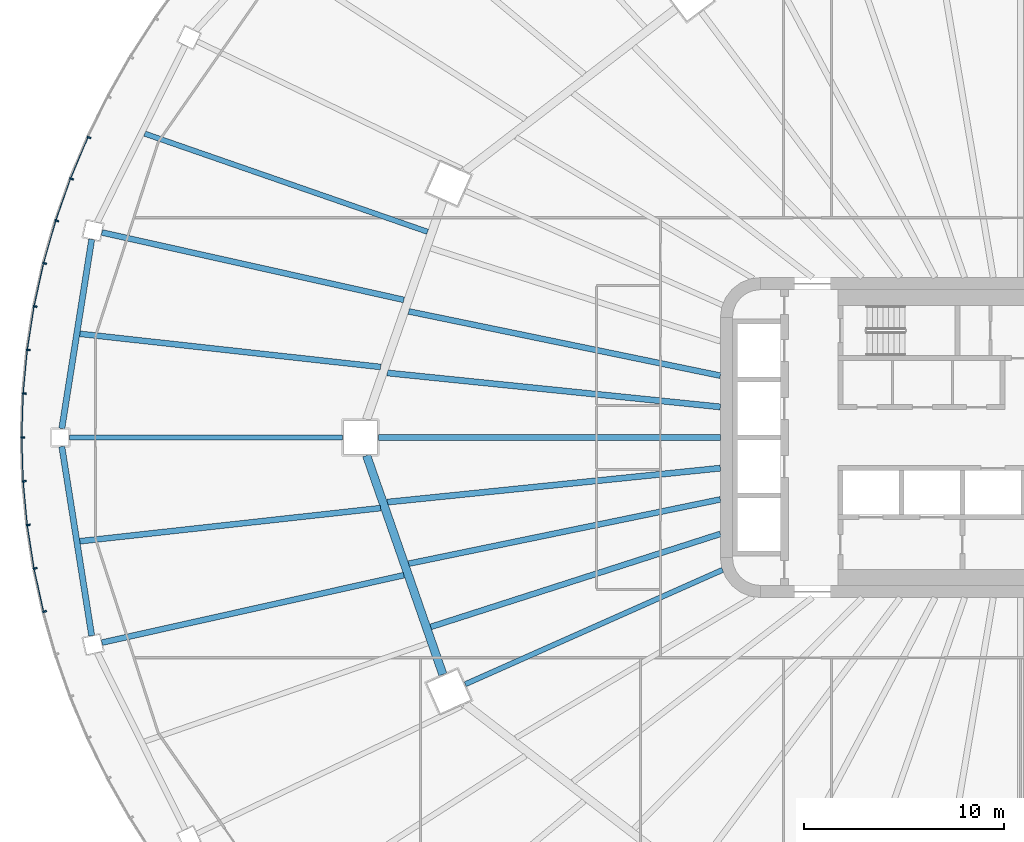
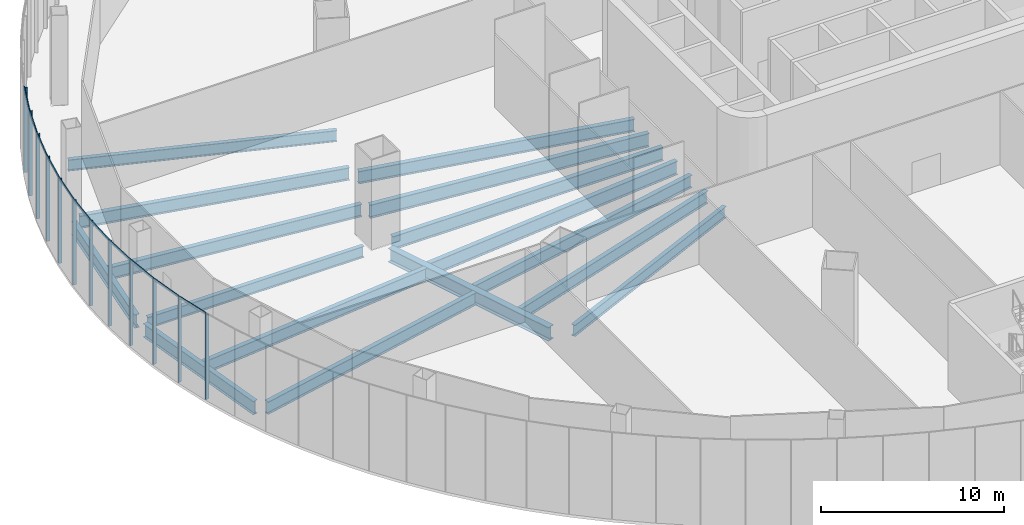
# One storey, part 6 of 37: 23 members, 16 beams, 3 elements without a shape of their own.
"""IFC4 building model written with IfcOpenShell, lengths in metres."""

from ifc_helpers import new_model, si_unit, direction, frame, origin, origin_2d, place, context, subcontext, project, spatial, rectangle, i_section, extrude, material, layer, layer_set, material_profile, profile_set, type_object, element, aggregate, save


model = new_model("IFC4")

# Units and contexts
model_context = context("Model", 3, precision=1e-05, world=origin(), true_north=direction((0.0, 1.0)))
body_context = subcontext(model_context, "Body", "Model", "MODEL_VIEW")
ifc_project = project(units=[si_unit("LENGTHUNIT", "METRE"), si_unit("AREAUNIT", "SQUARE_METRE"), si_unit("VOLUMEUNIT", "CUBIC_METRE"), si_unit("PLANEANGLEUNIT", "RADIAN"), si_unit("MASSUNIT", "GRAM", prefix="KILO")], contexts=[model_context])

# Site, building, storey
site_placement = place(None, origin())
site = spatial("IfcSite", under=ifc_project, at=site_placement, CompositionType="ELEMENT")
building_placement = place(site_placement, origin())
building = spatial("IfcBuilding", under=site, at=building_placement, Name="Sahrelin Media Tower", CompositionType="ELEMENT")
storey_placement = place(building_placement, frame((0.0, 0.0, 31.39990234375)))
storey = spatial("IfcBuildingStorey", under=building, at=storey_placement, Name="L04", CompositionType="ELEMENT", Elevation=31.39990234375)

# Curtain wall, members
ifc_material_1 = material(Name="Champagne anodised aluminium 6063-T6", Category="aluminium")
ifc_layer = layer(ifc_material_1, 0.14990234375)
ifc_layer_set = layer_set([ifc_layer], Name="Podium ribbon curtain wall")
curtain_wall_type = type_object("IfcCurtainWallType", Name="Podium ribbon curtain wall", PredefinedType="NOTDEFINED", material=ifc_layer_set)
curtain_wall_1_placement = place(storey_placement, frame((-43.30126953125, 21.0, 0.0), z_axis=(0.0, 0.0, 1.0), x_axis=(1.0, 0.0, 0.0)))
curtain_wall_1 = element("IfcCurtainWall", 1, at=curtain_wall_1_placement, inside=storey, type_object=curtain_wall_type, Name="L04:CW:L04-P10", PredefinedType="NOTDEFINED")
ifc_material_profile_1 = material_profile(ifc_material_1, rectangle(XDim=0.080078125, YDim=0.199951171875, at=origin_2d()), Name="Mullion 80x200")
ifc_profile_set_1 = profile_set([ifc_material_profile_1], Name="Champagne anodised aluminium 6063-T6")
member_type_1 = type_object("IfcMemberType", Name="Mullion 80x200 CW5", PredefinedType="MULLION", material=ifc_profile_set_1)
member_1_placement = place(storey_placement, frame((-46.568359375, 15.0048828125, 0.0), z_axis=(0.0, 0.0, 1.0), x_axis=(-0.388450189752, -0.921469722824, 0.0)))
member_1 = element("IfcMember", 2, at=member_1_placement, type_object=member_type_1, Name="L04:CWM4:L04-P10", PredefinedType="MULLION", context=body_context, shape_type="SweptSolid", body=[
    extrude(rectangle(XDim=0.080078125, YDim=0.199951171875, at=origin_2d()), origin(), (0.0, 0.0, 1.0), 5.650146484375),
])
member_2_placement = place(storey_placement, frame((-47.439697265625, 12.938720703125, 0.0), z_axis=(0.0, 0.0, 1.0), x_axis=(-0.332579242691, -0.943075313711, 0.0)))
member_2 = element("IfcMember", 3, at=member_2_placement, type_object=member_type_1, Name="L04:CWM5:L04-P10", PredefinedType="MULLION", context=body_context, shape_type="SweptSolid", body=[
    extrude(rectangle(XDim=0.080078125, YDim=0.199951171875, at=origin_2d()), origin(), (0.0, 0.0, 1.0), 5.650146484375),
])

curtain_wall_2_placement = place(storey_placement, frame((-48.29638671875, 10.870361328125, 0.0), z_axis=(0.0, 0.0, 1.0), x_axis=(1.0, 0.0, 0.0)))
curtain_wall_2 = element("IfcCurtainWall", 4, at=curtain_wall_2_placement, inside=storey, type_object=curtain_wall_type, Name="L04:CW:L04-P11", PredefinedType="NOTDEFINED")
member_3_placement = place(storey_placement, frame((-48.180908203125, 10.83740234375, 0.0), z_axis=(0.0, 0.0, 1.0), x_axis=(-0.274810138831, -0.961498511489, 0.0)))
member_3 = element("IfcMember", 5, at=member_3_placement, type_object=member_type_1, Name="L04:CWM1:L04-P11", PredefinedType="MULLION", context=body_context, shape_type="SweptSolid", body=[
    extrude(rectangle(XDim=0.080078125, YDim=0.199951171875, at=origin_2d()), origin(), (0.0, 0.0, 1.0), 5.650146484375),
])
member_4_placement = place(storey_placement, frame((-48.790283203125, 8.706298828125, 0.0), z_axis=(0.0, 0.0, 1.0), x_axis=(-0.215437572845, -0.976517614898, 0.0)))
member_4 = element("IfcMember", 6, at=member_4_placement, type_object=member_type_1, Name="L04:CWM2:L04-P11", PredefinedType="MULLION", context=body_context, shape_type="SweptSolid", body=[
    extrude(rectangle(XDim=0.080078125, YDim=0.199951171875, at=origin_2d()), origin(), (0.0, 0.0, 1.0), 5.650146484375),
])
member_5_placement = place(storey_placement, frame((-49.265869140625, 6.551513671875, 0.0), z_axis=(0.0, 0.0, 1.0), x_axis=(-0.154851778565, -0.987937713965, 0.0)))
member_5 = element("IfcMember", 7, at=member_5_placement, type_object=member_type_1, Name="L04:CWM3:L04-P11", PredefinedType="MULLION", context=body_context, shape_type="SweptSolid", body=[
    extrude(rectangle(XDim=0.080078125, YDim=0.199951171875, at=origin_2d()), origin(), (0.0, 0.0, 1.0), 5.650146484375),
])
member_6_placement = place(storey_placement, frame((-49.606689453125, 4.37890625, 0.0), z_axis=(0.0, 0.0, 1.0), x_axis=(-0.09329161754, -0.995638827134, 0.0)))
member_6 = element("IfcMember", 8, at=member_6_placement, type_object=member_type_1, Name="L04:CWM4:L04-P11", PredefinedType="MULLION", context=body_context, shape_type="SweptSolid", body=[
    extrude(rectangle(XDim=0.080078125, YDim=0.199951171875, at=origin_2d()), origin(), (0.0, 0.0, 1.0), 5.650146484375),
])
member_7_placement = place(storey_placement, frame((-49.8115234375, 2.1943359375, 0.0), z_axis=(0.0, 0.0, 1.0), x_axis=(-0.031147343317, -0.999514803794, 0.0)))
member_7 = element("IfcMember", 9, at=member_7_placement, type_object=member_type_1, Name="L04:CWM5:L04-P11", PredefinedType="MULLION", context=body_context, shape_type="SweptSolid", body=[
    extrude(rectangle(XDim=0.080078125, YDim=0.199951171875, at=origin_2d()), origin(), (0.0, 0.0, 1.0), 5.650146484375),
])

curtain_wall_3_placement = place(storey_placement, frame((-50.0, 0.0, 0.0), z_axis=(0.0, 0.0, 1.0), x_axis=(1.0, 0.0, 0.0)))
curtain_wall_3 = element("IfcCurtainWall", 10, at=curtain_wall_3_placement, inside=storey, type_object=curtain_wall_type, Name="L04:CW:L04-P12", PredefinedType="NOTDEFINED")
member_8_placement = place(storey_placement, frame((-49.880126953125, 0.003662109375, 0.0), z_axis=(0.0, 0.0, 1.0), x_axis=(0.031147343317, -0.999514803794, 0.0)))
member_8 = element("IfcMember", 11, at=member_8_placement, type_object=member_type_1, Name="L04:CWM1:L04-P12", PredefinedType="MULLION", context=body_context, shape_type="SweptSolid", body=[
    extrude(rectangle(XDim=0.080078125, YDim=0.199951171875, at=origin_2d()), origin(), (0.0, 0.0, 1.0), 5.650146484375),
])
member_9_placement = place(storey_placement, frame((-49.81201171875, -2.18701171875, 0.0), z_axis=(0.0, 0.0, 1.0), x_axis=(0.09329161754, -0.995638827134, 0.0)))
member_9 = element("IfcMember", 12, at=member_9_placement, type_object=member_type_1, Name="L04:CWM2:L04-P12", PredefinedType="MULLION", context=body_context, shape_type="SweptSolid", body=[
    extrude(rectangle(XDim=0.080078125, YDim=0.199951171875, at=origin_2d()), origin(), (0.0, 0.0, 1.0), 5.650146484375),
])
member_10_placement = place(storey_placement, frame((-49.607421875, -4.37158203125, 0.0), z_axis=(0.0, 0.0, 1.0), x_axis=(0.154851778565, -0.987937713965, 0.0)))
member_10 = element("IfcMember", 13, at=member_10_placement, type_object=member_type_1, Name="L04:CWM3:L04-P12", PredefinedType="MULLION", context=body_context, shape_type="SweptSolid", body=[
    extrude(rectangle(XDim=0.080078125, YDim=0.199951171875, at=origin_2d()), origin(), (0.0, 0.0, 1.0), 5.650146484375),
])
member_11_placement = place(storey_placement, frame((-49.26708984375, -6.544189453125, 0.0), z_axis=(0.0, 0.0, 1.0), x_axis=(0.215437572845, -0.976517614898, 0.0)))
member_11 = element("IfcMember", 14, at=member_11_placement, type_object=member_type_1, Name="L04:CWM4:L04-P12", PredefinedType="MULLION", context=body_context, shape_type="SweptSolid", body=[
    extrude(rectangle(XDim=0.080078125, YDim=0.199951171875, at=origin_2d()), origin(), (0.0, 0.0, 1.0), 5.650146484375),
])
member_12_placement = place(storey_placement, frame((-48.7919921875, -8.69921875, 0.0), z_axis=(0.0, 0.0, 1.0), x_axis=(0.274810138831, -0.961498511489, 0.0)))
member_12 = element("IfcMember", 15, at=member_12_placement, type_object=member_type_1, Name="L04:CWM5:L04-P12", PredefinedType="MULLION", context=body_context, shape_type="SweptSolid", body=[
    extrude(rectangle(XDim=0.080078125, YDim=0.199951171875, at=origin_2d()), origin(), (0.0, 0.0, 1.0), 5.650146484375),
])

# Beams
ifc_material_2 = material(Name="Steel S355", Category="steel")
ifc_material_profile_2 = material_profile(ifc_material_2, i_section(OverallWidth=0.30322265625, OverallDepth=0.903076171875, WebThickness=0.01513671875, FlangeThickness=0.020263671875, FilletRadius=0.01904296875, at=origin_2d()), Name="UB 914x305x201")
ifc_profile_set_2 = profile_set([ifc_material_profile_2], Name="Steel S355")
beam_type_1 = type_object("IfcBeamType", Name="Podium edge girder PE11", PredefinedType="BEAM", material=ifc_profile_set_2)
for number, where, z_axis, x_axis, name in (
    (16, (-46.434814453125, 9.907470703125, -0.6513671875), (-0.156048991104, -0.987749316565, 0.0), (0.987749316565, -0.156048991104, 0.0), "Podium edge girder L04-12"),
    (17, (-47.928955078125, -0.449951171875, -0.6513671875), (0.156048991104, -0.987749316565, 0.0), (0.987749316565, 0.156048991104, 0.0), "Podium edge girder L04-13"),
):
    element("IfcBeam", number, at=place(storey_placement, frame(where, z_axis=z_axis, x_axis=x_axis)), inside=storey, type_object=beam_type_1, Name=name, PredefinedType="BEAM", context=body_context, shape_type="SweptSolid", body=[
        extrude(i_section(OverallWidth=0.30322265625, OverallDepth=0.903076171875, WebThickness=0.01513671875, FlangeThickness=0.020263671875, FilletRadius=0.01904296875, at=origin_2d()), origin(), (0.0, 0.0, 1.0), 9.57470703125),
    ])
ifc_material_profile_3 = material_profile(ifc_material_2, i_section(OverallWidth=0.41845703125, OverallDepth=0.911865234375, WebThickness=0.019287109375, FlangeThickness=0.031982421875, FilletRadius=0.024169921875, at=origin_2d()), Name="UB 914x419x343")
ifc_profile_set_3 = profile_set([ifc_material_profile_3], Name="Steel S355")
beam_type_2 = type_object("IfcBeamType", Name="Podium ring girder PG12", PredefinedType="BEAM", material=ifc_profile_set_3)
beam_1_placement = place(storey_placement, frame((-32.686767578125, -0.89990234375, -0.65576171875), z_axis=(0.328773851324, -0.944408679908, 0.0), x_axis=(0.944408679908, 0.328773851324, 0.0)))
element("IfcBeam", 18, at=beam_1_placement, inside=storey, type_object=beam_type_2, Name="Podium girder L04-07", PredefinedType="BEAM", context=body_context, shape_type="SweptSolid", body=[
    extrude(i_section(OverallWidth=0.41845703125, OverallDepth=0.911865234375, WebThickness=0.019287109375, FlangeThickness=0.031982421875, FilletRadius=0.024169921875, at=origin_2d()), origin(), (0.0, 0.0, 1.0), 11.591552734375),
])
ifc_material_profile_4 = material_profile(ifc_material_2, i_section(OverallWidth=0.291748046875, OverallDepth=0.8349609375, WebThickness=0.013916015625, FlangeThickness=0.018798828125, FilletRadius=0.017822265625, at=origin_2d()), Name="UB 838x292x176")
ifc_profile_set_4 = profile_set([ifc_material_profile_4], Name="Steel S355")
beam_type_3 = type_object("IfcBeamType", Name="Radial primary beam PB10", PredefinedType="BEAM", material=ifc_profile_set_4)
for number, where, z_axis, x_axis, name in (
    (19, (-15.0, 3.093505859375, -0.6171875), (-0.979386832716, 0.201993643221, 0.0), (-0.201993643221, -0.979386832716, 0.0), "Radial beam L04-12"),
    (20, (-15.0, -3.093505859375, -0.6171875), (-0.979386832716, -0.201993643221, 0.0), (0.201993643221, -0.979386832716, 0.0), "Radial beam L04-14"),
):
    element("IfcBeam", number, at=place(storey_placement, frame(where, z_axis=z_axis, x_axis=x_axis)), inside=storey, type_object=beam_type_3, Name=name, PredefinedType="BEAM", context=body_context, shape_type="SweptSolid", body=[
        extrude(i_section(OverallWidth=0.291748046875, OverallDepth=0.8349609375, WebThickness=0.013916015625, FlangeThickness=0.018798828125, FilletRadius=0.017822265625, at=origin_2d()), origin(), (0.0, 0.0, 1.0), 15.91064453125),
    ])
for number, where, z_axis, x_axis, name in (
    (21, (-30.825439453125, 6.883056640625, -0.6171875), (-0.975966755314, 0.217919463385, 0.0), (-0.217919463385, -0.975966755314, 0.0), "Radial beam L04-14"),
    (22, (-30.825439453125, -6.883056640625, -0.6171875), (-0.975966755314, -0.217919463385, 0.0), (0.217919463385, -0.975966755314, 0.0), "Radial beam L04-16"),
):
    element("IfcBeam", number, at=place(storey_placement, frame(where, z_axis=z_axis, x_axis=x_axis)), inside=storey, type_object=beam_type_3, Name=name, PredefinedType="BEAM", context=body_context, shape_type="SweptSolid", body=[
        extrude(i_section(OverallWidth=0.291748046875, OverallDepth=0.8349609375, WebThickness=0.013916015625, FlangeThickness=0.018798828125, FilletRadius=0.017822265625, at=origin_2d()), origin(), (0.0, 0.0, 1.0), 15.4716796875),
    ])
ifc_material_profile_5 = material_profile(ifc_material_2, i_section(OverallWidth=0.30322265625, OverallDepth=0.903076171875, WebThickness=0.01513671875, FlangeThickness=0.020263671875, FilletRadius=0.01904296875, at=origin_2d()), Name="UB 914x305x201")
ifc_profile_set_5 = profile_set([ifc_material_profile_5], Name="Steel S355")
beam_type_4 = type_object("IfcBeamType", Name="Radial primary beam PB11", PredefinedType="BEAM", material=ifc_profile_set_5)
beam_2_placement = place(storey_placement, frame((-15.0, 0.0, -0.6513671875), z_axis=(-1.0, 0.0, 0.0), x_axis=(0.0, -1.0, 0.0)))
element("IfcBeam", 23, at=beam_2_placement, inside=storey, type_object=beam_type_4, Name="Radial beam L04-13", PredefinedType="BEAM", context=body_context, shape_type="SweptSolid", body=[
    extrude(i_section(OverallWidth=0.30322265625, OverallDepth=0.903076171875, WebThickness=0.01513671875, FlangeThickness=0.020263671875, FilletRadius=0.01904296875, at=origin_2d()), origin(), (0.0, 0.0, 1.0), 17.10009765625),
])
ifc_material_profile_6 = material_profile(ifc_material_2, i_section(OverallWidth=0.26513671875, OverallDepth=0.75390625, WebThickness=0.0126953125, FlangeThickness=0.017578125, FilletRadius=0.0166015625, at=origin_2d()), Name="UB 762x267x147")
ifc_profile_set_6 = profile_set([ifc_material_profile_6], Name="Steel S355")
beam_type_5 = type_object("IfcBeamType", Name="Radial primary beam PB9", PredefinedType="BEAM", material=ifc_profile_set_6)
beam_3_placement = place(storey_placement, frame((-14.890625, -6.6171875, -0.576904296875), z_axis=(-0.913833000058, -0.406090196883, 0.0), x_axis=(0.406090196883, -0.913833000058, 0.0)))
element("IfcBeam", 24, at=beam_3_placement, inside=storey, type_object=beam_type_5, Name="Radial beam L04-15", PredefinedType="BEAM", context=body_context, shape_type="SweptSolid", body=[
    extrude(i_section(OverallWidth=0.26513671875, OverallDepth=0.75390625, WebThickness=0.0126953125, FlangeThickness=0.017578125, FilletRadius=0.0166015625, at=origin_2d()), origin(), (0.0, 0.0, 1.0), 14.078857421875),
])
beam_4_placement = place(storey_placement, frame((-33.89990234375, 0.0, -0.576904296875), z_axis=(-1.0, 0.0, 0.0), x_axis=(0.0, -1.0, 0.0)))
element("IfcBeam", 25, at=beam_4_placement, inside=storey, type_object=beam_type_5, Name="Radial beam L04-15", PredefinedType="BEAM", context=body_context, shape_type="SweptSolid", body=[
    extrude(i_section(OverallWidth=0.26513671875, OverallDepth=0.75390625, WebThickness=0.0126953125, FlangeThickness=0.017578125, FilletRadius=0.0166015625, at=origin_2d()), origin(), (0.0, 0.0, 1.0), 13.650146484375),
])
ifc_material_profile_7 = material_profile(ifc_material_2, i_section(OverallWidth=0.291748046875, OverallDepth=0.8349609375, WebThickness=0.013916015625, FlangeThickness=0.018798828125, FilletRadius=0.017822265625, at=origin_2d()), Name="UB 838x292x176")
ifc_profile_set_7 = profile_set([ifc_material_profile_7], Name="Steel S355")
beam_type_6 = type_object("IfcBeamType", Name="Radial secondary beam SB10", PredefinedType="BEAM", material=ifc_profile_set_7)
beam_5_placement = place(storey_placement, frame((-15.0, -4.81787109375, -0.6171875), z_axis=(-0.952096340592, -0.305798231244, 0.0), x_axis=(0.305798231244, -0.952096340592, 0.0)))
element("IfcBeam", 26, at=beam_5_placement, inside=storey, type_object=beam_type_6, Name="Secondary beam L04-14", PredefinedType="BEAM", context=body_context, shape_type="SweptSolid", body=[
    extrude(i_section(OverallWidth=0.291748046875, OverallDepth=0.8349609375, WebThickness=0.013916015625, FlangeThickness=0.018798828125, FilletRadius=0.017822265625, at=origin_2d()), origin(), (0.0, 0.0, 1.0), 15.210693359375),
])
for number, where, z_axis, x_axis, name in (
    (27, (-31.9931640625, 3.528564453125, -0.6171875), (-0.993973950123, 0.109616542901, 0.0), (-0.109616542901, -0.993973950123, 0.0), "Secondary beam L04-12"),
    (28, (-31.9931640625, -3.528564453125, -0.6171875), (-0.993973950123, -0.109616542901, 0.0), (0.109616542901, -0.993973950123, 0.0), "Secondary beam L04-13"),
):
    element("IfcBeam", number, at=place(storey_placement, frame(where, z_axis=z_axis, x_axis=x_axis)), inside=storey, type_object=beam_type_6, Name=name, PredefinedType="BEAM", context=body_context, shape_type="SweptSolid", body=[
        extrude(i_section(OverallWidth=0.291748046875, OverallDepth=0.8349609375, WebThickness=0.013916015625, FlangeThickness=0.018798828125, FilletRadius=0.017822265625, at=origin_2d()), origin(), (0.0, 0.0, 1.0), 15.125),
    ])
ifc_material_profile_8 = material_profile(ifc_material_2, i_section(OverallWidth=0.30322265625, OverallDepth=0.903076171875, WebThickness=0.01513671875, FlangeThickness=0.020263671875, FilletRadius=0.01904296875, at=origin_2d()), Name="UB 914x305x201")
ifc_profile_set_8 = profile_set([ifc_material_profile_8], Name="Steel S355")
beam_type_7 = type_object("IfcBeamType", Name="Radial secondary beam SB11", PredefinedType="BEAM", material=ifc_profile_set_8)
for number, where, z_axis, x_axis, name in (
    (29, (-15.0, 1.53076171875, -0.6513671875), (-0.994833571419, 0.10151928476, 0.0), (-0.10151928476, -0.994833571419, 0.0), "Secondary beam L04-12"),
    (30, (-15.0, -1.53076171875, -0.6513671875), (-0.994833571419, -0.10151928476, 0.0), (0.10151928476, -0.994833571419, 0.0), "Secondary beam L04-13"),
):
    element("IfcBeam", number, at=place(storey_placement, frame(where, z_axis=z_axis, x_axis=x_axis)), inside=storey, type_object=beam_type_7, Name=name, PredefinedType="BEAM", context=body_context, shape_type="SweptSolid", body=[
        extrude(i_section(OverallWidth=0.30322265625, OverallDepth=0.903076171875, WebThickness=0.01513671875, FlangeThickness=0.020263671875, FilletRadius=0.01904296875, at=origin_2d()), origin(), (0.0, 0.0, 1.0), 16.740234375),
    ])
ifc_material_profile_9 = material_profile(ifc_material_2, i_section(OverallWidth=0.26513671875, OverallDepth=0.75390625, WebThickness=0.0126953125, FlangeThickness=0.017578125, FilletRadius=0.0166015625, at=origin_2d()), Name="UB 762x267x147")
ifc_profile_set_9 = profile_set([ifc_material_profile_9], Name="Steel S355")
beam_type_8 = type_object("IfcBeamType", Name="Radial secondary beam SB9", PredefinedType="BEAM", material=ifc_profile_set_9)
beam_6_placement = place(storey_placement, frame((-29.640380859375, 10.287109375, -0.576904296875), z_axis=(-0.944713020182, 0.32789832189, 0.0), x_axis=(-0.32789832189, -0.944713020182, 0.0)))
element("IfcBeam", 31, at=beam_6_placement, inside=storey, type_object=beam_type_8, Name="Secondary beam L04-11", PredefinedType="BEAM", context=body_context, shape_type="SweptSolid", body=[
    extrude(i_section(OverallWidth=0.26513671875, OverallDepth=0.75390625, WebThickness=0.0126953125, FlangeThickness=0.017578125, FilletRadius=0.0166015625, at=origin_2d()), origin(), (0.0, 0.0, 1.0), 14.974609375),
])

# Member
ifc_material_profile_10 = material_profile(ifc_material_1, rectangle(XDim=0.06005859375, YDim=0.14990234375, at=origin_2d()), Name="Transom 60x150")
ifc_profile_set_10 = profile_set([ifc_material_profile_10], Name="Champagne anodised aluminium 6063-T6")
member_type_2 = type_object("IfcMemberType", Name="Transom 60x150 CW5", PredefinedType="USERDEFINED", material=ifc_profile_set_10)
member_13_placement = place(storey_placement, frame((-46.65234375, 14.986083984375, 5.72509765625), z_axis=(-0.388379521363, -0.921499510247, 0.0), x_axis=(0.921499510247, -0.388379521363, 0.0)))
member_13 = element("IfcMember", 32, at=member_13_placement, type_object=member_type_2, Name="L04:CWT4a:L04-P10", ObjectType="TRANSOM", PredefinedType="USERDEFINED", context=body_context, shape_type="SweptSolid", body=[
    extrude(rectangle(XDim=0.06005859375, YDim=0.14990234375, at=origin_2d()), origin(), (0.0, 0.0, 1.0), 2.199462890625),
])

member_14_placement = place(storey_placement, frame((-47.522216796875, 12.914794921875, 5.72509765625), z_axis=(-0.332568838179, -0.943078982839, 0.0), x_axis=(0.943078982839, -0.332568838179, 0.0)))
member_14 = element("IfcMember", 33, at=member_14_placement, type_object=member_type_2, Name="L04:CWT5a:L04-P10", ObjectType="TRANSOM", PredefinedType="USERDEFINED", context=body_context, shape_type="SweptSolid", body=[
    extrude(rectangle(XDim=0.06005859375, YDim=0.14990234375, at=origin_2d()), origin(), (0.0, 0.0, 1.0), 2.185546875),
])

aggregate(curtain_wall_1, [member_1, member_13, member_2, member_14])

member_15_placement = place(storey_placement, frame((-48.261962890625, 10.80859375, 5.72509765625), z_axis=(-0.274824960972, -0.961494274984, 0.0), x_axis=(0.961494274984, -0.274824960972, 0.0)))
member_15 = element("IfcMember", 34, at=member_15_placement, type_object=member_type_2, Name="L04:CWT1a:L04-P11", ObjectType="TRANSOM", PredefinedType="USERDEFINED", context=body_context, shape_type="SweptSolid", body=[
    extrude(rectangle(XDim=0.06005859375, YDim=0.14990234375, at=origin_2d()), origin(), (0.0, 0.0, 1.0), 2.173828125),
])

member_16_placement = place(storey_placement, frame((-48.869384765625, 8.672607421875, 5.72509765625), z_axis=(-0.21547293686, -0.976509812281, 0.0), x_axis=(0.976509812281, -0.21547293686, 0.0)))
member_16 = element("IfcMember", 35, at=member_16_placement, type_object=member_type_2, Name="L04:CWT2a:L04-P11", ObjectType="TRANSOM", PredefinedType="USERDEFINED", context=body_context, shape_type="SweptSolid", body=[
    extrude(rectangle(XDim=0.06005859375, YDim=0.14990234375, at=origin_2d()), origin(), (0.0, 0.0, 1.0), 2.1640625),
])

member_17_placement = place(storey_placement, frame((-49.3427734375, 6.51318359375, 5.72509765625), z_axis=(-0.154863781247, -0.987935832561, 0.0), x_axis=(0.987935832561, -0.154863781247, 0.0)))
member_17 = element("IfcMember", 36, at=member_17_placement, type_object=member_type_2, Name="L04:CWT3a:L04-P11", ObjectType="TRANSOM", PredefinedType="USERDEFINED", context=body_context, shape_type="SweptSolid", body=[
    extrude(rectangle(XDim=0.06005859375, YDim=0.14990234375, at=origin_2d()), origin(), (0.0, 0.0, 1.0), 2.15673828125),
])

member_18_placement = place(storey_placement, frame((-49.680908203125, 4.335693359375, 5.72509765625), z_axis=(-0.093266896829, -0.995641143161, 0.0), x_axis=(0.995641143161, -0.093266896829, 0.0)))
member_18 = element("IfcMember", 37, at=member_18_placement, type_object=member_type_2, Name="L04:CWT4a:L04-P11", ObjectType="TRANSOM", PredefinedType="USERDEFINED", context=body_context, shape_type="SweptSolid", body=[
    extrude(rectangle(XDim=0.06005859375, YDim=0.14990234375, at=origin_2d()), origin(), (0.0, 0.0, 1.0), 2.151611328125),
])

member_19_placement = place(storey_placement, frame((-49.883056640625, 2.146484375, 5.72509765625), z_axis=(-0.031124815153, -0.999515505573, 0.0), x_axis=(0.999515505573, -0.031124815153, 0.0)))
member_19 = element("IfcMember", 38, at=member_19_placement, type_object=member_type_2, Name="L04:CWT5a:L04-P11", ObjectType="TRANSOM", PredefinedType="USERDEFINED", context=body_context, shape_type="SweptSolid", body=[
    extrude(rectangle(XDim=0.06005859375, YDim=0.14990234375, at=origin_2d()), origin(), (0.0, 0.0, 1.0), 2.149169921875),
])

aggregate(curtain_wall_2, [member_3, member_15, member_4, member_16, member_5, member_17, member_6, member_18, member_7, member_19])

member_20_placement = place(storey_placement, frame((-49.948486328125, -0.04833984375, 5.72509765625), z_axis=(0.031124815153, -0.999515505573, 0.0), x_axis=(0.999515505573, 0.031124815153, 0.0)))
member_20 = element("IfcMember", 39, at=member_20_placement, type_object=member_type_2, Name="L04:CWT1a:L04-P12", ObjectType="TRANSOM", PredefinedType="USERDEFINED", context=body_context, shape_type="SweptSolid", body=[
    extrude(rectangle(XDim=0.06005859375, YDim=0.14990234375, at=origin_2d()), origin(), (0.0, 0.0, 1.0), 2.149169921875),
])

member_21_placement = place(storey_placement, frame((-49.877197265625, -2.2431640625, 5.72509765625), z_axis=(0.093379371436, -0.99563060067, 0.0), x_axis=(0.99563060067, 0.093379371436, 0.0)))
member_21 = element("IfcMember", 40, at=member_21_placement, type_object=member_type_2, Name="L04:CWT2a:L04-P12", ObjectType="TRANSOM", PredefinedType="USERDEFINED", context=body_context, shape_type="SweptSolid", body=[
    extrude(rectangle(XDim=0.06005859375, YDim=0.14990234375, at=origin_2d()), origin(), (0.0, 0.0, 1.0), 2.15185546875),
])

member_22_placement = place(storey_placement, frame((-49.6689453125, -4.431884765625, 5.72509765625), z_axis=(0.154863781247, -0.987935832561, 0.0), x_axis=(0.987935832561, 0.154863781247, 0.0)))
member_22 = element("IfcMember", 41, at=member_22_placement, type_object=member_type_2, Name="L04:CWT3a:L04-P12", ObjectType="TRANSOM", PredefinedType="USERDEFINED", context=body_context, shape_type="SweptSolid", body=[
    extrude(rectangle(XDim=0.06005859375, YDim=0.14990234375, at=origin_2d()), origin(), (0.0, 0.0, 1.0), 2.15673828125),
])

member_23_placement = place(storey_placement, frame((-49.32470703125, -6.6083984375, 5.72509765625), z_axis=(0.215389086642, -0.976528310575, 0.0), x_axis=(0.976528310575, 0.215389086642, 0.0)))
member_23 = element("IfcMember", 42, at=member_23_placement, type_object=member_type_2, Name="L04:CWT4a:L04-P12", ObjectType="TRANSOM", PredefinedType="USERDEFINED", context=body_context, shape_type="SweptSolid", body=[
    extrude(rectangle(XDim=0.06005859375, YDim=0.14990234375, at=origin_2d()), origin(), (0.0, 0.0, 1.0), 2.163818359375),
])

aggregate(curtain_wall_3, [member_8, member_20, member_9, member_21, member_10, member_22, member_11, member_23, member_12])

save(model, "model.ifc")
